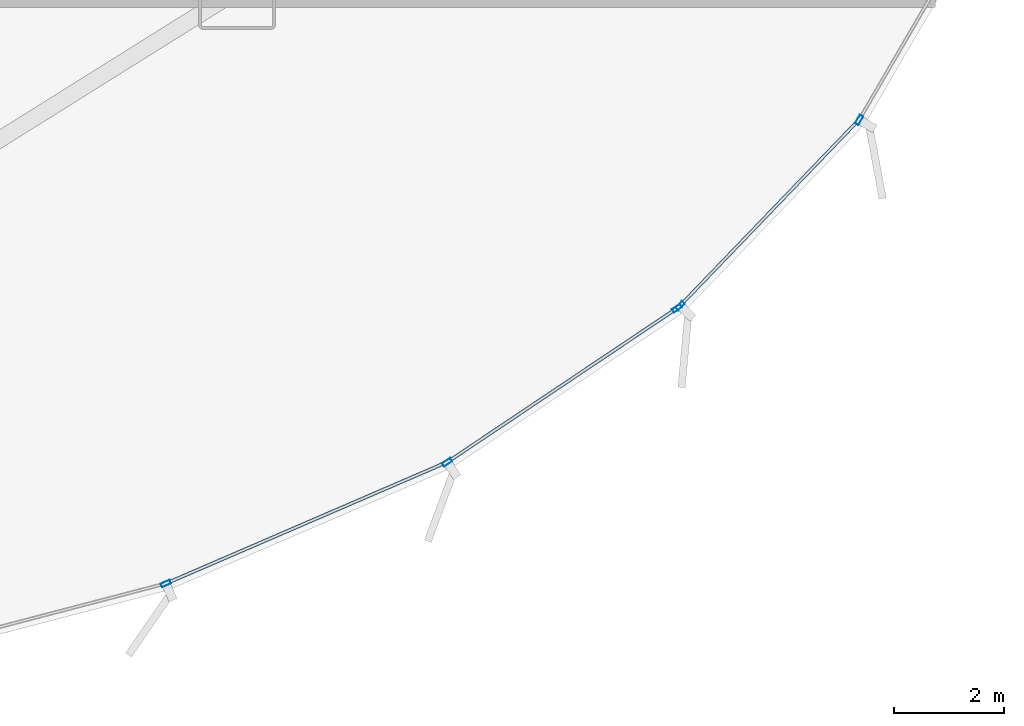
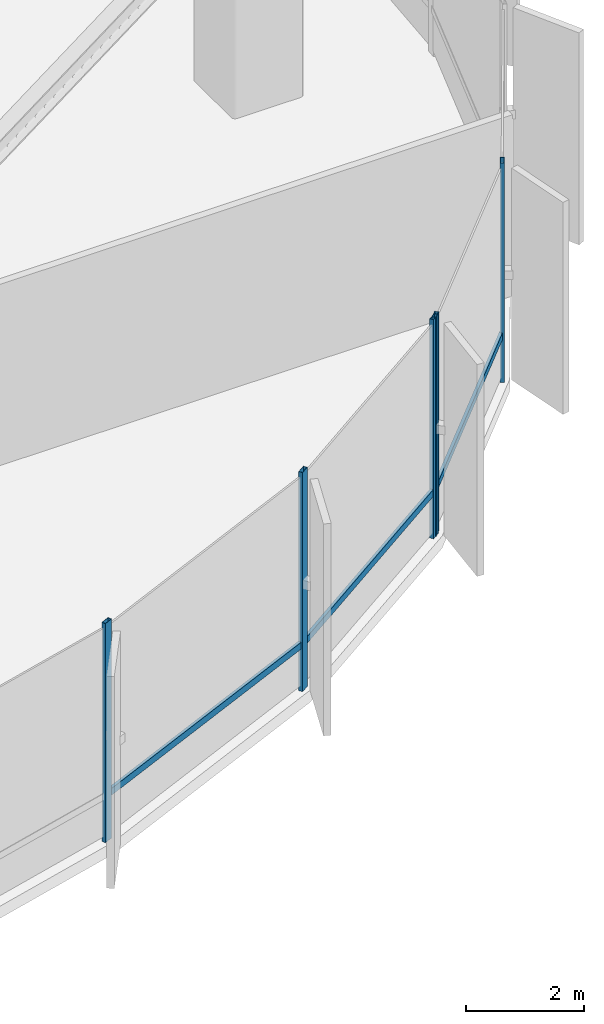
# One storey, part 16 of 34: 8 members, 2 elements without a shape of their own.
"""IFC4 building model written with IfcOpenShell, lengths in metres."""

from ifc_helpers import new_model, si_unit, direction, frame, origin, origin_2d, place, context, subcontext, project, spatial, hollow_rectangle, extrude, source, transform, mapped, material, layer, layer_set, material_profile, profile_set, type_object, element, aggregate, save


model = new_model("IFC4")

# Units and contexts
model_context = context("Model", 3, precision=1e-05, world=origin(), true_north=direction((0.0, 1.0)))
body_context = subcontext(model_context, "Body", "Model", "MODEL_VIEW")
ifc_project = project(units=[si_unit("LENGTHUNIT", "METRE"), si_unit("AREAUNIT", "SQUARE_METRE"), si_unit("VOLUMEUNIT", "CUBIC_METRE"), si_unit("PLANEANGLEUNIT", "RADIAN"), si_unit("MASSUNIT", "GRAM", prefix="KILO"), si_unit("THERMODYNAMICTEMPERATUREUNIT", "KELVIN")], contexts=[model_context])

# Site, building, storey
site_placement = place(None, origin())
site = spatial("IfcSite", under=ifc_project, at=site_placement, CompositionType="ELEMENT")
building_placement = place(site_placement, origin())
building = spatial("IfcBuilding", under=site, at=building_placement, Name="Kethvar Cultural Tower", CompositionType="ELEMENT")
storey_placement = place(building_placement, frame((0.0, 0.0, 5.199951171875)))
storey = spatial("IfcBuildingStorey", under=building, at=storey_placement, Name="L01", CompositionType="ELEMENT", Elevation=5.199951171875)

# Curtain wall, member
ifc_material = material(Name="Aluminium 6063-T6", Category="aluminium")
ifc_layer = layer(ifc_material, 0.179931640625, Name="Aluminium 6063-T6", Category="aluminium")
ifc_layer_set = layer_set([ifc_layer], Name="Aluminium 6063-T6 (180 mm)")
curtain_wall_type = type_object("IfcCurtainWallType", Name="CW-SYS-01-POD", PredefinedType="NOTDEFINED", material=ifc_layer_set)
curtain_wall_1_placement = place(storey_placement, origin())
curtain_wall_1 = element("IfcCurtainWall", 1, at=curtain_wall_1_placement, inside=storey, type_object=curtain_wall_type, Name="L01 Curtain Wall Run 06", PredefinedType="NOTDEFINED")
ifc_material_profile_1 = material_profile(ifc_material, hollow_rectangle(XDim=0.06005859375, YDim=0.139892578125, WallThickness=0.0048828125, at=origin_2d()), Name="Aluminium 6063-T6 — RHS140x60x5")
ifc_profile_set_1 = profile_set([ifc_material_profile_1], Name="Aluminium 6063-T6 — RHS140x60x5")
member_type_1 = type_object("IfcMemberType", Name="CW-SYS-01-POD-TRN", PredefinedType="USERDEFINED", material=ifc_profile_set_1)
shared_shape_1 = source(origin(), body_context, "Body", "SweptSolid", [
    extrude(hollow_rectangle(XDim=0.06005859375, YDim=0.139892578125, WallThickness=0.0048828125, at=origin_2d()), origin(), (0.0, 0.0, 1.0), 4.6826171875),
])
member_1_placement = place(storey_placement, frame((75.5068359375, 8.283203125, 0.949951171875), z_axis=(0.693341040309, 0.72060960431, 0.0), x_axis=(-0.72060960431, 0.693341040309, 0.0)))
member_1 = element("IfcMember", 2, at=member_1_placement, type_object=member_type_1, Name="CW-L01-R06 Transom 1", ObjectType="TRANSOM", PredefinedType="USERDEFINED", context=body_context, shape_type="MappedRepresentation", body=[
    mapped(shared_shape_1, transform((0.0, 0.0, 0.0), scale=1.0)),
])

# Curtain wall, members
curtain_wall_2_placement = place(storey_placement, origin())
curtain_wall_2 = element("IfcCurtainWall", 3, at=curtain_wall_2_placement, inside=storey, type_object=curtain_wall_type, Name="L01 Curtain Wall Run 05", PredefinedType="NOTDEFINED")
shared_shape_2 = source(origin(), body_context, "Body", "SweptSolid", [
    extrude(hollow_rectangle(XDim=0.06005859375, YDim=0.139892578125, WallThickness=0.0048828125, at=origin_2d()), origin(), (0.0, 0.0, 1.0), 4.991455078125),
])
member_2_placement = place(storey_placement, frame((71.298828125, 5.4541015625, 0.949951171875), z_axis=(0.830806616573, 0.556561196867, 0.0), x_axis=(-0.556561196867, 0.830806616573, 0.0)))
member_2 = element("IfcMember", 4, at=member_2_placement, type_object=member_type_1, Name="CW-L01-R05 Transom 6", ObjectType="TRANSOM", PredefinedType="USERDEFINED", context=body_context, shape_type="MappedRepresentation", body=[
    mapped(shared_shape_2, transform((0.0, 0.0, 0.0), scale=1.0)),
])
shared_shape_3 = source(origin(), body_context, "Body", "SweptSolid", [
    extrude(hollow_rectangle(XDim=0.06005859375, YDim=0.139892578125, WallThickness=0.0048828125, at=origin_2d()), origin(), (0.0, 0.0, 1.0), 5.504638671875),
])
member_3_placement = place(storey_placement, frame((66.17138671875, 3.231689453125, 0.949951171875), z_axis=(0.918072625283, 0.39641222825, 0.0), x_axis=(-0.39641222825, 0.918072625283, 0.0)))
member_3 = element("IfcMember", 5, at=member_3_placement, type_object=member_type_1, Name="CW-L01-R05 Transom 5", ObjectType="TRANSOM", PredefinedType="USERDEFINED", context=body_context, shape_type="MappedRepresentation", body=[
    mapped(shared_shape_3, transform((0.0, 0.0, 0.0), scale=1.0)),
])
ifc_material_profile_2 = material_profile(ifc_material, hollow_rectangle(XDim=0.074951171875, YDim=0.179931640625, WallThickness=0.006103515625, at=origin_2d()), Name="Aluminium 6063-T6 — RHS180x75x6")
ifc_profile_set_2 = profile_set([ifc_material_profile_2], Name="Aluminium 6063-T6 — RHS180x75x6")
member_type_2 = type_object("IfcMemberType", Name="CW-SYS-01-POD-MUL", PredefinedType="MULLION", material=ifc_profile_set_2)
shared_shape_4 = source(origin(), body_context, "Body", "SweptSolid", [
    extrude(hollow_rectangle(XDim=0.074951171875, YDim=0.179931640625, WallThickness=0.006103515625, at=origin_2d()), origin(), (0.0, 0.0, 1.0), 4.550048828125),
])
member_4_placement = place(storey_placement, frame((66.121826171875, 3.210205078125, 0.0), z_axis=(0.0, 0.0, 1.0), x_axis=(-0.396410942082, 0.918073180633, 0.0)))
member_4 = element("IfcMember", 6, at=member_4_placement, type_object=member_type_2, Name="CW-L01-R05 Mullion 5", PredefinedType="MULLION", context=body_context, shape_type="MappedRepresentation", body=[
    mapped(shared_shape_4, transform((0.0, 0.0, 0.0), scale=1.0)),
])
member_5_placement = place(storey_placement, frame((71.25390625, 5.424072265625, 0.0), z_axis=(0.0, 0.0, 1.0), x_axis=(-0.556556649514, 0.830809662848, 0.0)))
member_5 = element("IfcMember", 7, at=member_5_placement, type_object=member_type_2, Name="CW-L01-R05 Mullion 6", PredefinedType="MULLION", context=body_context, shape_type="MappedRepresentation", body=[
    mapped(shared_shape_4, transform((0.0, 0.0, 0.0), scale=1.0)),
])
member_6_placement = place(storey_placement, frame((75.4501953125, 8.235107421875, 0.0), z_axis=(0.0, 0.0, 1.0), x_axis=(-0.556556649514, 0.830809662848, 0.0)))
member_6 = element("IfcMember", 8, at=member_6_placement, type_object=member_type_2, Name="CW-L01-R05 Mullion 7", PredefinedType="MULLION", context=body_context, shape_type="MappedRepresentation", body=[
    mapped(shared_shape_4, transform((0.0, 0.0, 0.0), scale=1.0)),
])
aggregate(curtain_wall_2, [member_4, member_5, member_6, member_3, member_2])

# Member
member_7_placement = place(storey_placement, frame((75.503173828125, 8.279541015625, 0.0), z_axis=(0.0, 0.0, 1.0), x_axis=(-0.720611619661, 0.693338945689, 0.0)))
member_7 = element("IfcMember", 9, at=member_7_placement, type_object=member_type_2, Name="CW-L01-R06 Mullion 1", PredefinedType="MULLION", context=body_context, shape_type="MappedRepresentation", body=[
    mapped(shared_shape_4, transform((0.0, 0.0, 0.0), scale=1.0)),
])

member_8_placement = place(storey_placement, frame((78.772216796875, 11.671630859375, 0.0), z_axis=(0.0, 0.0, 1.0), x_axis=(-0.863984939927, 0.503517649721, 0.0)))
member_8 = element("IfcMember", 10, at=member_8_placement, type_object=member_type_2, Name="CW-L01-R06 Mullion 2", PredefinedType="MULLION", context=body_context, shape_type="MappedRepresentation", body=[
    mapped(shared_shape_4, transform((0.0, 0.0, 0.0), scale=1.0)),
])

aggregate(curtain_wall_1, [member_7, member_8, member_1])

save(model, "model.ifc")
